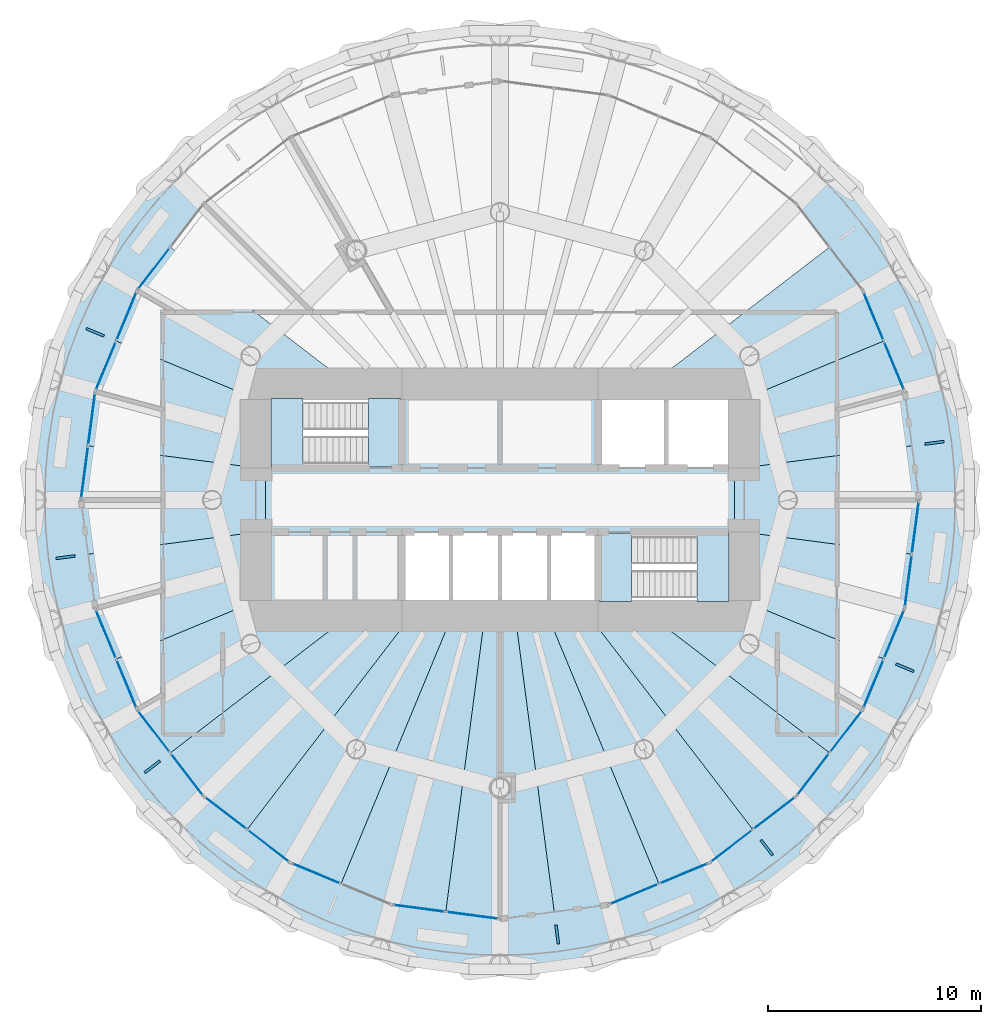
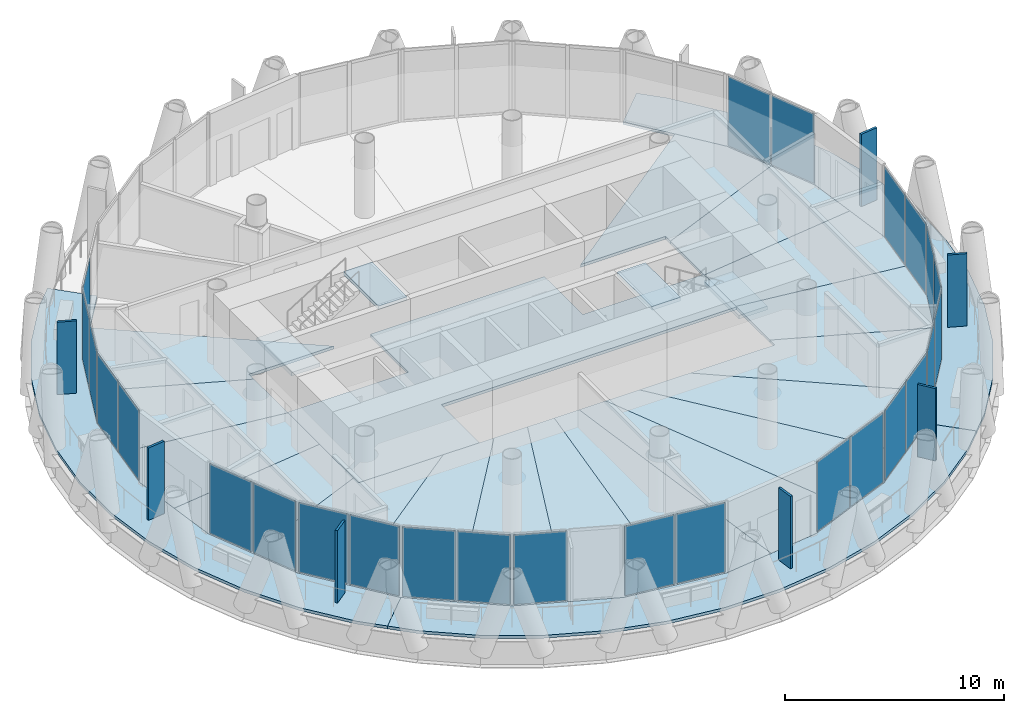
# One storey, part 7 of 15: 33 plates, 25 slabs, 16 elements without a shape of their own.
"""IFC4 building model written with IfcOpenShell, lengths in metres."""

from ifc_helpers import new_model, si_unit, direction, frame, origin, origin_2d, place, context, subcontext, project, spatial, polyline, rectangle, outline, extrude, material, layer, layer_set, type_object, element, aggregate, save


model = new_model("IFC4")

# Units and contexts
model_context = context("Model", 3, precision=1e-05, world=origin(), true_north=direction((0.0, 1.0)))
body_context = subcontext(model_context, "Body", "Model", "MODEL_VIEW")
ifc_project = project(units=[si_unit("LENGTHUNIT", "METRE"), si_unit("AREAUNIT", "SQUARE_METRE"), si_unit("VOLUMEUNIT", "CUBIC_METRE"), si_unit("PLANEANGLEUNIT", "RADIAN"), si_unit("MASSUNIT", "GRAM", prefix="KILO")], contexts=[model_context])

# Site, building, storey
site_placement = place(None, origin())
site = spatial("IfcSite", under=ifc_project, at=site_placement, CompositionType="ELEMENT")
building_placement = place(site_placement, origin())
building = spatial("IfcBuilding", under=site, at=building_placement, Name="Qaws Media Tower", CompositionType="ELEMENT")
storey_placement = place(building_placement, frame((0.0, 0.0, 257.0)))
storey = spatial("IfcBuildingStorey", under=building, at=storey_placement, Name="L59", CompositionType="ELEMENT", Elevation=257.0)

# Slabs
ifc_material_1 = material(Name="Concrete C35/45", Category="concrete")
ifc_layer_1 = layer(ifc_material_1, 0.159912109375)
ifc_layer_set_1 = layer_set([ifc_layer_1], Name="Composite balcony slab 160")
slab_type_1 = type_object("IfcSlabType", Name="Composite balcony slab 160", PredefinedType="FLOOR", material=ifc_layer_set_1)
slab_1_placement = place(storey_placement, frame((0.0, 0.0, -0.159912109375)))
element("IfcSlab", 1, at=slab_1_placement, inside=storey, type_object=slab_type_1, Name="S2 balcony slab L59 R10 to R16, movement joints on R10 and R16", PredefinedType="FLOOR", context=body_context, shape_type="SweptSolid", body=[
    extrude(outline(polyline([(43.421875, 35.46142578125), (41.666015625, 37.749755859375), (40.22412109375, 40.24755859375), (39.1201171875, 42.912353515625), (38.373779296875, 45.6982421875), (37.997314453125, 48.557861328125), (37.997314453125, 51.442138671875), (38.373779296875, 54.3017578125), (39.1201171875, 57.087646484375), (40.22412109375, 59.75244140625), (41.666015625, 62.250244140625), (43.421875, 64.53857421875), (44.441650390625, 65.558349609375), (46.10546875, 63.89453125), (42.982666015625, 59.824951171875), (41.01953125, 55.085693359375), (40.35009765625, 50.0), (41.01953125, 44.914306640625), (42.982666015625, 40.175048828125), (46.10546875, 36.10546875), (44.441650390625, 34.441650390625), (43.421875, 35.46142578125)])), origin(), (0.0, 0.0, 1.0), 0.159912109375),
])
slab_2_placement = place(storey_placement, frame((0.0, 0.0, -0.159912109375)))
element("IfcSlab", 2, at=slab_2_placement, inside=storey, type_object=slab_type_1, Name="S2 balcony slab L59 R16 to R22, movement joints on R16 and R22", PredefinedType="FLOOR", context=body_context, shape_type="SweptSolid", body=[
    extrude(outline(polyline([(74.53857421875, 33.421875), (72.250244140625, 31.666015625), (69.75244140625, 30.22412109375), (67.087646484375, 29.1201171875), (64.3017578125, 28.373779296875), (61.442138671875, 27.997314453125), (58.557861328125, 27.997314453125), (55.6982421875, 28.373779296875), (52.912353515625, 29.1201171875), (50.24755859375, 30.22412109375), (47.749755859375, 31.666015625), (45.46142578125, 33.421875), (44.441650390625, 34.441650390625), (46.10546875, 36.10546875), (50.175048828125, 32.982666015625), (54.914306640625, 31.01953125), (60.0, 30.35009765625), (65.085693359375, 31.01953125), (69.824951171875, 32.982666015625), (73.89453125, 36.10546875), (75.558349609375, 34.441650390625), (74.53857421875, 33.421875)])), origin(), (0.0, 0.0, 1.0), 0.159912109375),
])
slab_3_placement = place(storey_placement, frame((0.0, 0.0, -0.159912109375)))
element("IfcSlab", 3, at=slab_3_placement, inside=storey, type_object=slab_type_1, Name="S2 balcony slab L59 R22 to R04, movement joints on R22 and R04", PredefinedType="FLOOR", context=body_context, shape_type="SweptSolid", body=[
    extrude(outline(polyline([(81.626220703125, 45.6982421875), (80.8798828125, 42.912353515625), (79.77587890625, 40.24755859375), (78.333984375, 37.749755859375), (76.578125, 35.46142578125), (75.558349609375, 34.441650390625), (73.89453125, 36.10546875), (77.017333984375, 40.175048828125), (78.98046875, 44.914306640625), (79.64990234375, 50.0), (78.98046875, 55.085693359375), (77.017333984375, 59.824951171875), (73.89453125, 63.89453125), (75.558349609375, 65.558349609375), (76.578125, 64.53857421875), (78.333984375, 62.250244140625), (79.77587890625, 59.75244140625), (80.8798828125, 57.087646484375), (81.626220703125, 54.3017578125), (82.002685546875, 51.442138671875), (82.002685546875, 48.557861328125), (81.626220703125, 45.6982421875)])), origin(), (0.0, 0.0, 1.0), 0.159912109375),
])
ifc_material_2 = material(Name="Concrete C35/45", Category="concrete")
ifc_layer_2 = layer(ifc_material_2, 0.159912109375)
ifc_layer_set_2 = layer_set([ifc_layer_2], Name="Composite floor slab 160")
slab_type_2 = type_object("IfcSlabType", Name="Composite floor slab 160", PredefinedType="FLOOR", material=ifc_layer_set_2)
slab_4_placement = place(storey_placement, frame((0.0, 0.0, -0.159912109375)))
element("IfcSlab", 4, at=slab_4_placement, inside=storey, type_object=slab_type_2, Name="S1 core floor slab L59", PredefinedType="FLOOR", context=body_context, shape_type="SweptSolid", body=[
    extrude(outline(polyline([(71.0, 51.5), (71.0, 48.5), (55.39990234375, 48.5), (55.39990234375, 45.0), (49.0, 45.0), (49.0, 51.5), (55.39990234375, 51.5), (55.39990234375, 55.0), (64.60009765625, 55.0), (64.60009765625, 51.5), (71.0, 51.5)])), origin(), (0.0, 0.0, 1.0), 0.159912109375),
])
slab_5_placement = place(storey_placement, frame((0.0, 0.0, -0.159912109375)))
element("IfcSlab", 5, at=slab_5_placement, inside=storey, type_object=slab_type_2, Name="S1 floor panel L59 on R01", PredefinedType="FLOOR", context=body_context, shape_type="SweptSolid", body=[
    extrude(outline(polyline([(79.64990234375, 50.0), (79.315185546875, 47.45703125), (71.0, 48.5517578125), (71.0, 51.4482421875), (79.315185546875, 52.54296875), (79.64990234375, 50.0)])), origin(), (0.0, 0.0, 1.0), 0.159912109375),
])
slab_6_placement = place(storey_placement, frame((0.0, 0.0, -0.159912109375)))
element("IfcSlab", 6, at=slab_6_placement, inside=storey, type_object=slab_type_2, Name="S1 floor panel L59 on R02", PredefinedType="FLOOR", context=body_context, shape_type="SweptSolid", body=[
    extrude(outline(polyline([(78.98046875, 55.085693359375), (79.315185546875, 52.54296875), (71.0, 51.4482421875), (71.0, 54.556396484375), (77.998779296875, 57.455322265625), (78.98046875, 55.085693359375)])), origin(), (0.0, 0.0, 1.0), 0.159912109375),
])
slab_7_placement = place(storey_placement, frame((0.0, 0.0, -0.159912109375)))
element("IfcSlab", 7, at=slab_7_placement, inside=storey, type_object=slab_type_2, Name="S1 floor panel L59 on R03", PredefinedType="FLOOR", context=body_context, shape_type="SweptSolid", body=[
    extrude(outline(polyline([(77.017333984375, 59.824951171875), (77.998779296875, 57.455322265625), (71.0, 54.556396484375), (71.0, 55.0), (66.51611328125, 55.0), (75.4560546875, 61.85986328125), (77.017333984375, 59.824951171875)])), origin(), (0.0, 0.0, 1.0), 0.159912109375),
])
slab_8_placement = place(storey_placement, frame((0.0, 0.0, -0.159912109375)))
element("IfcSlab", 8, at=slab_8_placement, inside=storey, type_object=slab_type_2, Name="S1 floor panel L59 on R11", PredefinedType="FLOOR", context=body_context, shape_type="SweptSolid", body=[
    extrude(outline(polyline([(42.982666015625, 59.824951171875), (44.5439453125, 61.85986328125), (53.48388671875, 55.0), (49.0, 55.0), (49.0, 54.556396484375), (42.001220703125, 57.455322265625), (42.982666015625, 59.824951171875)])), origin(), (0.0, 0.0, 1.0), 0.159912109375),
])
slab_9_placement = place(storey_placement, frame((0.0, 0.0, -0.159912109375)))
element("IfcSlab", 9, at=slab_9_placement, inside=storey, type_object=slab_type_2, Name="S1 floor panel L59 on R12", PredefinedType="FLOOR", context=body_context, shape_type="SweptSolid", body=[
    extrude(outline(polyline([(41.01953125, 55.085693359375), (42.001220703125, 57.455322265625), (49.0, 54.556396484375), (49.0, 51.4482421875), (40.684814453125, 52.54296875), (41.01953125, 55.085693359375)])), origin(), (0.0, 0.0, 1.0), 0.159912109375),
])
slab_10_placement = place(storey_placement, frame((0.0, 0.0, -0.159912109375)))
element("IfcSlab", 10, at=slab_10_placement, inside=storey, type_object=slab_type_2, Name="S1 floor panel L59 on R13", PredefinedType="FLOOR", context=body_context, shape_type="SweptSolid", body=[
    extrude(outline(polyline([(40.35009765625, 50.0), (40.684814453125, 52.54296875), (49.0, 51.4482421875), (49.0, 48.5517578125), (40.684814453125, 47.45703125), (40.35009765625, 50.0)])), origin(), (0.0, 0.0, 1.0), 0.159912109375),
])
slab_11_placement = place(storey_placement, frame((0.0, 0.0, -0.159912109375)))
element("IfcSlab", 11, at=slab_11_placement, inside=storey, type_object=slab_type_2, Name="S1 floor panel L59 on R14", PredefinedType="FLOOR", context=body_context, shape_type="SweptSolid", body=[
    extrude(outline(polyline([(41.01953125, 44.914306640625), (40.684814453125, 47.45703125), (49.0, 48.5517578125), (49.0, 45.443603515625), (42.001220703125, 42.544677734375), (41.01953125, 44.914306640625)])), origin(), (0.0, 0.0, 1.0), 0.159912109375),
])
slab_12_placement = place(storey_placement, frame((0.0, 0.0, -0.159912109375)))
element("IfcSlab", 12, at=slab_12_placement, inside=storey, type_object=slab_type_2, Name="S1 floor panel L59 on R15", PredefinedType="FLOOR", context=body_context, shape_type="SweptSolid", body=[
    extrude(outline(polyline([(42.982666015625, 40.175048828125), (42.001220703125, 42.544677734375), (49.0, 45.443603515625), (49.0, 45.0), (53.48388671875, 45.0), (44.5439453125, 38.14013671875), (42.982666015625, 40.175048828125)])), origin(), (0.0, 0.0, 1.0), 0.159912109375),
])
slab_13_placement = place(storey_placement, frame((0.0, 0.0, -0.159912109375)))
element("IfcSlab", 13, at=slab_13_placement, inside=storey, type_object=slab_type_2, Name="S1 floor panel L59 on R16", PredefinedType="FLOOR", context=body_context, shape_type="SweptSolid", body=[
    extrude(outline(polyline([(46.10546875, 36.10546875), (44.5439453125, 38.14013671875), (53.48388671875, 45.0), (56.163330078125, 45.0), (48.14013671875, 34.5439453125), (46.10546875, 36.10546875)])), origin(), (0.0, 0.0, 1.0), 0.159912109375),
])
slab_14_placement = place(storey_placement, frame((0.0, 0.0, -0.159912109375)))
element("IfcSlab", 14, at=slab_14_placement, inside=storey, type_object=slab_type_2, Name="S1 floor panel L59 on R17", PredefinedType="FLOOR", context=body_context, shape_type="SweptSolid", body=[
    extrude(outline(polyline([(50.175048828125, 32.982666015625), (48.14013671875, 34.5439453125), (56.163330078125, 45.0), (57.928955078125, 45.0), (52.544677734375, 32.001220703125), (50.175048828125, 32.982666015625)])), origin(), (0.0, 0.0, 1.0), 0.159912109375),
])
slab_15_placement = place(storey_placement, frame((0.0, 0.0, -0.159912109375)))
element("IfcSlab", 15, at=slab_15_placement, inside=storey, type_object=slab_type_2, Name="S1 floor panel L59 on R18", PredefinedType="FLOOR", context=body_context, shape_type="SweptSolid", body=[
    extrude(outline(polyline([(54.914306640625, 31.01953125), (52.544677734375, 32.001220703125), (57.928955078125, 45.0), (59.341796875, 45.0), (57.45703125, 30.684814453125), (54.914306640625, 31.01953125)])), origin(), (0.0, 0.0, 1.0), 0.159912109375),
])
slab_16_placement = place(storey_placement, frame((0.0, 0.0, -0.159912109375)))
element("IfcSlab", 16, at=slab_16_placement, inside=storey, type_object=slab_type_2, Name="S1 floor panel L59 on R19", PredefinedType="FLOOR", context=body_context, shape_type="SweptSolid", body=[
    extrude(outline(polyline([(60.0, 30.35009765625), (57.45703125, 30.684814453125), (59.341796875, 45.0), (60.658203125, 45.0), (62.54296875, 30.684814453125), (60.0, 30.35009765625)])), origin(), (0.0, 0.0, 1.0), 0.159912109375),
])
slab_17_placement = place(storey_placement, frame((0.0, 0.0, -0.159912109375)))
element("IfcSlab", 17, at=slab_17_placement, inside=storey, type_object=slab_type_2, Name="S1 floor panel L59 on R20", PredefinedType="FLOOR", context=body_context, shape_type="SweptSolid", body=[
    extrude(outline(polyline([(65.085693359375, 31.01953125), (62.54296875, 30.684814453125), (60.658203125, 45.0), (62.071044921875, 45.0), (67.455322265625, 32.001220703125), (65.085693359375, 31.01953125)])), origin(), (0.0, 0.0, 1.0), 0.159912109375),
])
slab_18_placement = place(storey_placement, frame((0.0, 0.0, -0.159912109375)))
element("IfcSlab", 18, at=slab_18_placement, inside=storey, type_object=slab_type_2, Name="S1 floor panel L59 on R21", PredefinedType="FLOOR", context=body_context, shape_type="SweptSolid", body=[
    extrude(outline(polyline([(69.824951171875, 32.982666015625), (67.455322265625, 32.001220703125), (62.071044921875, 45.0), (63.836669921875, 45.0), (71.85986328125, 34.5439453125), (69.824951171875, 32.982666015625)])), origin(), (0.0, 0.0, 1.0), 0.159912109375),
])
slab_19_placement = place(storey_placement, frame((0.0, 0.0, -0.159912109375)))
element("IfcSlab", 19, at=slab_19_placement, inside=storey, type_object=slab_type_2, Name="S1 floor panel L59 on R22", PredefinedType="FLOOR", context=body_context, shape_type="SweptSolid", body=[
    extrude(outline(polyline([(73.89453125, 36.10546875), (71.85986328125, 34.5439453125), (63.836669921875, 45.0), (66.51611328125, 45.0), (75.4560546875, 38.14013671875), (73.89453125, 36.10546875)])), origin(), (0.0, 0.0, 1.0), 0.159912109375),
])
slab_20_placement = place(storey_placement, frame((0.0, 0.0, -0.159912109375)))
element("IfcSlab", 20, at=slab_20_placement, inside=storey, type_object=slab_type_2, Name="S1 floor panel L59 on R23", PredefinedType="FLOOR", context=body_context, shape_type="SweptSolid", body=[
    extrude(outline(polyline([(77.017333984375, 40.175048828125), (75.4560546875, 38.14013671875), (66.51611328125, 45.0), (71.0, 45.0), (71.0, 45.443603515625), (77.998779296875, 42.544677734375), (77.017333984375, 40.175048828125)])), origin(), (0.0, 0.0, 1.0), 0.159912109375),
])
slab_21_placement = place(storey_placement, frame((0.0, 0.0, -0.159912109375)))
element("IfcSlab", 21, at=slab_21_placement, inside=storey, type_object=slab_type_2, Name="S1 floor panel L59 on R24", PredefinedType="FLOOR", context=body_context, shape_type="SweptSolid", body=[
    extrude(outline(polyline([(77.998779296875, 42.544677734375), (71.0, 45.443603515625), (71.0, 48.5517578125), (79.315185546875, 47.45703125), (78.98046875, 44.914306640625), (77.998779296875, 42.544677734375)])), origin(), (0.0, 0.0, 1.0), 0.159912109375),
])

# Curtain wall, plates
ifc_material_3 = material(Name="Aluminium and clear glass", Category="aluminium")
curtain_wall_type = type_object("IfcCurtainWallType", Name="Unitised curtain wall CW-C", PredefinedType="NOTDEFINED", material=ifc_material_3)
curtain_wall_1_placement = place(storey_placement, origin())
curtain_wall_1 = element("IfcCurtainWall", 22, at=curtain_wall_1_placement, inside=storey, type_object=curtain_wall_type, Name="CWC curtain wall L59-02", PredefinedType="NOTDEFINED")
ifc_material_4 = material(Name="Clear laminated double glazing", Category="glass")
ifc_layer_3 = layer(ifc_material_4, 0.031982421875)
ifc_layer_set_3 = layer_set([ifc_layer_3], Name="Curtain wall glass unit 32")
plate_type_1 = type_object("IfcPlateType", Name="Curtain wall glass unit 32", PredefinedType="CURTAIN_PANEL", material=ifc_layer_set_3)
plate_1_placement = place(storey_placement, frame((78.48193359375, 56.2890625, 0.080078125), z_axis=(0.0, 0.0, 1.0), x_axis=(-0.382683365786, 0.923879560089, 0.0)))
plate_1 = element("IfcPlate", 23, at=plate_1_placement, type_object=plate_type_1, Name="CWC panel 1.1", PredefinedType="CURTAIN_PANEL", context=body_context, shape_type="SweptSolid", body=[
    extrude(rectangle(XDim=2.44482421875, YDim=0.031982421875, at=origin_2d()), origin(), (0.0, 0.0, 1.0), 3.8798828125),
])
plate_2_placement = place(storey_placement, frame((77.515869140625, 58.621826171875, 0.080078125), z_axis=(0.0, 0.0, 1.0), x_axis=(-0.382683365786, 0.923879560089, 0.0)))
plate_2 = element("IfcPlate", 24, at=plate_2_placement, type_object=plate_type_1, Name="CWC panel 2.1", PredefinedType="CURTAIN_PANEL", context=body_context, shape_type="SweptSolid", body=[
    extrude(rectangle(XDim=2.44482421875, YDim=0.031982421875, at=origin_2d()), origin(), (0.0, 0.0, 1.0), 3.8798828125),
])
aggregate(curtain_wall_1, [plate_1, plate_2])

# Curtain wall, plate
curtain_wall_2_placement = place(storey_placement, origin())
curtain_wall_2 = element("IfcCurtainWall", 25, at=curtain_wall_2_placement, inside=storey, type_object=curtain_wall_type, Name="CWC curtain wall L59-10", PredefinedType="NOTDEFINED")
plate_3_placement = place(storey_placement, frame((43.775390625, 60.8583984375, 0.080078125), z_axis=(0.0, 0.0, 1.0), x_axis=(-0.608761460662, -0.793353316003, 0.0)))
plate_3 = element("IfcPlate", 26, at=plate_3_placement, type_object=plate_type_1, Name="CWC panel 2.1", PredefinedType="CURTAIN_PANEL", context=body_context, shape_type="SweptSolid", body=[
    extrude(rectangle(XDim=2.44482421875, YDim=0.031982421875, at=origin_2d()), origin(), (0.0, 0.0, 1.0), 3.8798828125),
])
aggregate(curtain_wall_2, [plate_3])

# Curtain wall, plates
curtain_wall_3_placement = place(storey_placement, origin())
curtain_wall_3 = element("IfcCurtainWall", 27, at=curtain_wall_3_placement, inside=storey, type_object=curtain_wall_type, Name="CWC curtain wall L59-11", PredefinedType="NOTDEFINED")
plate_4_placement = place(storey_placement, frame((42.484130859375, 58.621826171875, 0.080078125), z_axis=(0.0, 0.0, 1.0), x_axis=(-0.382683365786, -0.923879560089, 0.0)))
plate_4 = element("IfcPlate", 28, at=plate_4_placement, type_object=plate_type_1, Name="CWC panel 1.1", PredefinedType="CURTAIN_PANEL", context=body_context, shape_type="SweptSolid", body=[
    extrude(rectangle(XDim=2.44482421875, YDim=0.031982421875, at=origin_2d()), origin(), (0.0, 0.0, 1.0), 3.8798828125),
])
plate_5_placement = place(storey_placement, frame((41.51806640625, 56.2890625, 0.080078125), z_axis=(0.0, 0.0, 1.0), x_axis=(-0.382683365786, -0.923879560089, 0.0)))
plate_5 = element("IfcPlate", 29, at=plate_5_placement, type_object=plate_type_1, Name="CWC panel 2.1", PredefinedType="CURTAIN_PANEL", context=body_context, shape_type="SweptSolid", body=[
    extrude(rectangle(XDim=2.44482421875, YDim=0.031982421875, at=origin_2d()), origin(), (0.0, 0.0, 1.0), 3.8798828125),
])
aggregate(curtain_wall_3, [plate_4, plate_5])

curtain_wall_4_placement = place(storey_placement, origin())
curtain_wall_4 = element("IfcCurtainWall", 30, at=curtain_wall_4_placement, inside=storey, type_object=curtain_wall_type, Name="CWC curtain wall L59-12", PredefinedType="NOTDEFINED")
plate_6_placement = place(storey_placement, frame((40.849609375, 53.79443359375, 0.080078125), z_axis=(0.0, 0.0, 1.0), x_axis=(-0.130526291424, -0.991444848313, 0.0)))
plate_6 = element("IfcPlate", 31, at=plate_6_placement, type_object=plate_type_1, Name="CWC panel 1.1", PredefinedType="CURTAIN_PANEL", context=body_context, shape_type="SweptSolid", body=[
    extrude(rectangle(XDim=2.44482421875, YDim=0.031982421875, at=origin_2d()), origin(), (0.0, 0.0, 1.0), 3.8798828125),
])
plate_7_placement = place(storey_placement, frame((40.52001953125, 51.291259765625, 0.080078125), z_axis=(0.0, 0.0, 1.0), x_axis=(-0.130526291424, -0.991444848313, 0.0)))
plate_7 = element("IfcPlate", 32, at=plate_7_placement, type_object=plate_type_1, Name="CWC panel 2.1", PredefinedType="CURTAIN_PANEL", context=body_context, shape_type="SweptSolid", body=[
    extrude(rectangle(XDim=2.44482421875, YDim=0.031982421875, at=origin_2d()), origin(), (0.0, 0.0, 1.0), 3.8798828125),
])
aggregate(curtain_wall_4, [plate_6, plate_7])

curtain_wall_5_placement = place(storey_placement, origin())
curtain_wall_5 = element("IfcCurtainWall", 33, at=curtain_wall_5_placement, inside=storey, type_object=curtain_wall_type, Name="CWC curtain wall L59-14", PredefinedType="NOTDEFINED")
plate_8_placement = place(storey_placement, frame((41.51806640625, 43.7109375, 0.080078125), z_axis=(0.0, 0.0, 1.0), x_axis=(0.382683365786, -0.923879560089, 0.0)))
plate_8 = element("IfcPlate", 34, at=plate_8_placement, type_object=plate_type_1, Name="CWC panel 1.1", PredefinedType="CURTAIN_PANEL", context=body_context, shape_type="SweptSolid", body=[
    extrude(rectangle(XDim=2.44482421875, YDim=0.031982421875, at=origin_2d()), origin(), (0.0, 0.0, 1.0), 3.8798828125),
])
plate_9_placement = place(storey_placement, frame((42.484130859375, 41.378173828125, 0.080078125), z_axis=(0.0, 0.0, 1.0), x_axis=(0.382683365786, -0.923879560089, 0.0)))
plate_9 = element("IfcPlate", 35, at=plate_9_placement, type_object=plate_type_1, Name="CWC panel 2.1", PredefinedType="CURTAIN_PANEL", context=body_context, shape_type="SweptSolid", body=[
    extrude(rectangle(XDim=2.44482421875, YDim=0.031982421875, at=origin_2d()), origin(), (0.0, 0.0, 1.0), 3.8798828125),
])
aggregate(curtain_wall_5, [plate_8, plate_9])

curtain_wall_6_placement = place(storey_placement, origin())
curtain_wall_6 = element("IfcCurtainWall", 36, at=curtain_wall_6_placement, inside=storey, type_object=curtain_wall_type, Name="CWC curtain wall L59-15", PredefinedType="NOTDEFINED")
plate_10_placement = place(storey_placement, frame((43.775390625, 39.1416015625, 0.080078125), z_axis=(0.0, 0.0, 1.0), x_axis=(0.608761460662, -0.793353316003, 0.0)))
plate_10 = element("IfcPlate", 37, at=plate_10_placement, type_object=plate_type_1, Name="CWC panel 1.1", PredefinedType="CURTAIN_PANEL", context=body_context, shape_type="SweptSolid", body=[
    extrude(rectangle(XDim=2.44482421875, YDim=0.031982421875, at=origin_2d()), origin(), (0.0, 0.0, 1.0), 3.8798828125),
])
plate_11_placement = place(storey_placement, frame((45.3125, 37.138671875, 0.080078125), z_axis=(0.0, 0.0, 1.0), x_axis=(0.608761460662, -0.793353316003, 0.0)))
plate_11 = element("IfcPlate", 38, at=plate_11_placement, type_object=plate_type_1, Name="CWC panel 2.1", PredefinedType="CURTAIN_PANEL", context=body_context, shape_type="SweptSolid", body=[
    extrude(rectangle(XDim=2.44482421875, YDim=0.031982421875, at=origin_2d()), origin(), (0.0, 0.0, 1.0), 3.8798828125),
])
aggregate(curtain_wall_6, [plate_10, plate_11])

curtain_wall_7_placement = place(storey_placement, origin())
curtain_wall_7 = element("IfcCurtainWall", 39, at=curtain_wall_7_placement, inside=storey, type_object=curtain_wall_type, Name="CWC curtain wall L59-16", PredefinedType="NOTDEFINED")
plate_12_placement = place(storey_placement, frame((47.138671875, 35.3125, 0.080078125), z_axis=(0.0, 0.0, 1.0), x_axis=(0.793353316003, -0.608761460662, 0.0)))
plate_12 = element("IfcPlate", 40, at=plate_12_placement, type_object=plate_type_1, Name="CWC panel 1.1", PredefinedType="CURTAIN_PANEL", context=body_context, shape_type="SweptSolid", body=[
    extrude(rectangle(XDim=2.44482421875, YDim=0.031982421875, at=origin_2d()), origin(), (0.0, 0.0, 1.0), 3.8798828125),
])
plate_13_placement = place(storey_placement, frame((49.1416015625, 33.775390625, 0.080078125), z_axis=(0.0, 0.0, 1.0), x_axis=(0.793353316003, -0.608761460662, 0.0)))
plate_13 = element("IfcPlate", 41, at=plate_13_placement, type_object=plate_type_1, Name="CWC panel 2.1", PredefinedType="CURTAIN_PANEL", context=body_context, shape_type="SweptSolid", body=[
    extrude(rectangle(XDim=2.44482421875, YDim=0.031982421875, at=origin_2d()), origin(), (0.0, 0.0, 1.0), 3.8798828125),
])
aggregate(curtain_wall_7, [plate_12, plate_13])

# Curtain wall, plate
curtain_wall_8_placement = place(storey_placement, origin())
curtain_wall_8 = element("IfcCurtainWall", 42, at=curtain_wall_8_placement, inside=storey, type_object=curtain_wall_type, Name="CWC curtain wall L59-17", PredefinedType="NOTDEFINED")
plate_14_placement = place(storey_placement, frame((51.378173828125, 32.484130859375, 0.080078125), z_axis=(0.0, 0.0, 1.0), x_axis=(0.923879560089, -0.382683365786, 0.0)))
plate_14 = element("IfcPlate", 43, at=plate_14_placement, type_object=plate_type_1, Name="CWC panel 1.1", PredefinedType="CURTAIN_PANEL", context=body_context, shape_type="SweptSolid", body=[
    extrude(rectangle(XDim=2.44482421875, YDim=0.031982421875, at=origin_2d()), origin(), (0.0, 0.0, 1.0), 3.8798828125),
])
aggregate(curtain_wall_8, [plate_14])

# Curtain wall, plates
curtain_wall_9_placement = place(storey_placement, origin())
curtain_wall_9 = element("IfcCurtainWall", 44, at=curtain_wall_9_placement, inside=storey, type_object=curtain_wall_type, Name="CWC curtain wall L59-18", PredefinedType="NOTDEFINED")
plate_15_placement = place(storey_placement, frame((56.20556640625, 30.849609375, 0.080078125), z_axis=(0.0, 0.0, 1.0), x_axis=(0.991444848313, -0.130526291424, 0.0)))
plate_15 = element("IfcPlate", 45, at=plate_15_placement, type_object=plate_type_1, Name="CWC panel 1.1", PredefinedType="CURTAIN_PANEL", context=body_context, shape_type="SweptSolid", body=[
    extrude(rectangle(XDim=2.44482421875, YDim=0.031982421875, at=origin_2d()), origin(), (0.0, 0.0, 1.0), 3.8798828125),
])
plate_16_placement = place(storey_placement, frame((58.708740234375, 30.52001953125, 0.080078125), z_axis=(0.0, 0.0, 1.0), x_axis=(0.991444848313, -0.130526291424, 0.0)))
plate_16 = element("IfcPlate", 46, at=plate_16_placement, type_object=plate_type_1, Name="CWC panel 2.1", PredefinedType="CURTAIN_PANEL", context=body_context, shape_type="SweptSolid", body=[
    extrude(rectangle(XDim=2.44482421875, YDim=0.031982421875, at=origin_2d()), origin(), (0.0, 0.0, 1.0), 3.8798828125),
])
aggregate(curtain_wall_9, [plate_15, plate_16])

curtain_wall_10_placement = place(storey_placement, origin())
curtain_wall_10 = element("IfcCurtainWall", 47, at=curtain_wall_10_placement, inside=storey, type_object=curtain_wall_type, Name="CWC curtain wall L59-20", PredefinedType="NOTDEFINED")
plate_17_placement = place(storey_placement, frame((66.2890625, 31.51806640625, 0.080078125), z_axis=(0.0, 0.0, 1.0), x_axis=(0.923879560089, 0.382683365786, 0.0)))
plate_17 = element("IfcPlate", 48, at=plate_17_placement, type_object=plate_type_1, Name="CWC panel 1.1", PredefinedType="CURTAIN_PANEL", context=body_context, shape_type="SweptSolid", body=[
    extrude(rectangle(XDim=2.44482421875, YDim=0.031982421875, at=origin_2d()), origin(), (0.0, 0.0, 1.0), 3.8798828125),
])
plate_18_placement = place(storey_placement, frame((68.621826171875, 32.484130859375, 0.080078125), z_axis=(0.0, 0.0, 1.0), x_axis=(0.923879560089, 0.382683365786, 0.0)))
plate_18 = element("IfcPlate", 49, at=plate_18_placement, type_object=plate_type_1, Name="CWC panel 2.1", PredefinedType="CURTAIN_PANEL", context=body_context, shape_type="SweptSolid", body=[
    extrude(rectangle(XDim=2.44482421875, YDim=0.031982421875, at=origin_2d()), origin(), (0.0, 0.0, 1.0), 3.8798828125),
])
aggregate(curtain_wall_10, [plate_17, plate_18])

curtain_wall_11_placement = place(storey_placement, origin())
curtain_wall_11 = element("IfcCurtainWall", 50, at=curtain_wall_11_placement, inside=storey, type_object=curtain_wall_type, Name="CWC curtain wall L59-21", PredefinedType="NOTDEFINED")
plate_19_placement = place(storey_placement, frame((70.8583984375, 33.775390625, 0.080078125), z_axis=(0.0, 0.0, 1.0), x_axis=(0.793353316003, 0.608761460662, 0.0)))
plate_19 = element("IfcPlate", 51, at=plate_19_placement, type_object=plate_type_1, Name="CWC panel 1.1", PredefinedType="CURTAIN_PANEL", context=body_context, shape_type="SweptSolid", body=[
    extrude(rectangle(XDim=2.44482421875, YDim=0.031982421875, at=origin_2d()), origin(), (0.0, 0.0, 1.0), 3.8798828125),
])
plate_20_placement = place(storey_placement, frame((72.861328125, 35.3125, 0.080078125), z_axis=(0.0, 0.0, 1.0), x_axis=(0.793353316003, 0.608761460662, 0.0)))
plate_20 = element("IfcPlate", 52, at=plate_20_placement, type_object=plate_type_1, Name="CWC panel 2.1", PredefinedType="CURTAIN_PANEL", context=body_context, shape_type="SweptSolid", body=[
    extrude(rectangle(XDim=2.44482421875, YDim=0.031982421875, at=origin_2d()), origin(), (0.0, 0.0, 1.0), 3.8798828125),
])
aggregate(curtain_wall_11, [plate_19, plate_20])

curtain_wall_12_placement = place(storey_placement, origin())
curtain_wall_12 = element("IfcCurtainWall", 53, at=curtain_wall_12_placement, inside=storey, type_object=curtain_wall_type, Name="CWC curtain wall L59-22", PredefinedType="NOTDEFINED")
plate_21_placement = place(storey_placement, frame((74.6875, 37.138671875, 0.080078125), z_axis=(0.0, 0.0, 1.0), x_axis=(0.608761460662, 0.793353316003, 0.0)))
plate_21 = element("IfcPlate", 54, at=plate_21_placement, type_object=plate_type_1, Name="CWC panel 1.1", PredefinedType="CURTAIN_PANEL", context=body_context, shape_type="SweptSolid", body=[
    extrude(rectangle(XDim=2.44482421875, YDim=0.031982421875, at=origin_2d()), origin(), (0.0, 0.0, 1.0), 3.8798828125),
])
plate_22_placement = place(storey_placement, frame((76.224609375, 39.1416015625, 0.080078125), z_axis=(0.0, 0.0, 1.0), x_axis=(0.608761460662, 0.793353316003, 0.0)))
plate_22 = element("IfcPlate", 55, at=plate_22_placement, type_object=plate_type_1, Name="CWC panel 2.1", PredefinedType="CURTAIN_PANEL", context=body_context, shape_type="SweptSolid", body=[
    extrude(rectangle(XDim=2.44482421875, YDim=0.031982421875, at=origin_2d()), origin(), (0.0, 0.0, 1.0), 3.8798828125),
])
aggregate(curtain_wall_12, [plate_21, plate_22])

curtain_wall_13_placement = place(storey_placement, origin())
curtain_wall_13 = element("IfcCurtainWall", 56, at=curtain_wall_13_placement, inside=storey, type_object=curtain_wall_type, Name="CWC curtain wall L59-23", PredefinedType="NOTDEFINED")
plate_23_placement = place(storey_placement, frame((77.515869140625, 41.378173828125, 0.080078125), z_axis=(0.0, 0.0, 1.0), x_axis=(0.382683365786, 0.923879560089, 0.0)))
plate_23 = element("IfcPlate", 57, at=plate_23_placement, type_object=plate_type_1, Name="CWC panel 1.1", PredefinedType="CURTAIN_PANEL", context=body_context, shape_type="SweptSolid", body=[
    extrude(rectangle(XDim=2.44482421875, YDim=0.031982421875, at=origin_2d()), origin(), (0.0, 0.0, 1.0), 3.8798828125),
])
plate_24_placement = place(storey_placement, frame((78.48193359375, 43.7109375, 0.080078125), z_axis=(0.0, 0.0, 1.0), x_axis=(0.382683365786, 0.923879560089, 0.0)))
plate_24 = element("IfcPlate", 58, at=plate_24_placement, type_object=plate_type_1, Name="CWC panel 2.1", PredefinedType="CURTAIN_PANEL", context=body_context, shape_type="SweptSolid", body=[
    extrude(rectangle(XDim=2.44482421875, YDim=0.031982421875, at=origin_2d()), origin(), (0.0, 0.0, 1.0), 3.8798828125),
])
aggregate(curtain_wall_13, [plate_23, plate_24])

curtain_wall_14_placement = place(storey_placement, origin())
curtain_wall_14 = element("IfcCurtainWall", 59, at=curtain_wall_14_placement, inside=storey, type_object=curtain_wall_type, Name="CWC curtain wall L59-24", PredefinedType="NOTDEFINED")
plate_25_placement = place(storey_placement, frame((79.150390625, 46.20556640625, 0.080078125), z_axis=(0.0, 0.0, 1.0), x_axis=(0.130526291424, 0.991444848313, 0.0)))
plate_25 = element("IfcPlate", 60, at=plate_25_placement, type_object=plate_type_1, Name="CWC panel 1.1", PredefinedType="CURTAIN_PANEL", context=body_context, shape_type="SweptSolid", body=[
    extrude(rectangle(XDim=2.44482421875, YDim=0.031982421875, at=origin_2d()), origin(), (0.0, 0.0, 1.0), 3.8798828125),
])
plate_26_placement = place(storey_placement, frame((79.47998046875, 48.708740234375, 0.080078125), z_axis=(0.0, 0.0, 1.0), x_axis=(0.130526291424, 0.991444848313, 0.0)))
plate_26 = element("IfcPlate", 61, at=plate_26_placement, type_object=plate_type_1, Name="CWC panel 2.1", PredefinedType="CURTAIN_PANEL", context=body_context, shape_type="SweptSolid", body=[
    extrude(rectangle(XDim=2.44482421875, YDim=0.031982421875, at=origin_2d()), origin(), (0.0, 0.0, 1.0), 3.8798828125),
])
aggregate(curtain_wall_14, [plate_25, plate_26])

# Plates
ifc_material_5 = material(Name="Precast concrete screen fin", Category="concrete")
ifc_layer_4 = layer(ifc_material_5, 0.1201171875)
ifc_layer_set_4 = layer_set([ifc_layer_4], Name="Screen fin 120x900")
plate_type_2 = type_object("IfcPlateType", Name="Screen fin 120x900", PredefinedType="USERDEFINED", material=ifc_layer_set_4)
for number, where, z_axis, x_axis, name in (
    (62, (80.374267578125, 52.682373046875, 0.0), (0.0, 0.0, 1.0), (0.991444861374, 0.13052619222, 0.0), "SCR1 screen fin L59-01"),
    (63, (41.01416015625, 57.8642578125, 0.0), (0.0, 0.0, 1.0), (-0.923879532511, 0.382683432365, 0.0), "SCR1 screen fin L59-06"),
    (64, (39.625732421875, 47.317626953125, 0.0), (0.0, 0.0, 1.0), (-0.991444861374, -0.13052619222, 0.0), "SCR1 screen fin L59-07"),
    (65, (43.696533203125, 37.489990234375, 0.0), (0.0, 0.0, 1.0), (-0.793353340291, -0.608761429009, 0.0), "SCR1 screen fin L59-08"),
    (66, (62.682373046875, 29.625732421875, 0.0), (0.0, 0.0, 1.0), (0.13052619222, -0.991444861374, 0.0), "SCR1 screen fin L59-10"),
    (67, (72.510009765625, 33.696533203125, 0.0), (0.0, 0.0, 1.0), (0.608761429009, -0.793353340291, 0.0), "SCR1 screen fin L59-11"),
    (68, (78.98583984375, 42.1357421875, 0.0), (0.0, 0.0, 1.0), (0.923879532511, -0.382683432365, 0.0), "SCR1 screen fin L59-12"),
):
    element("IfcPlate", number, at=place(storey_placement, frame(where, z_axis=z_axis, x_axis=x_axis)), inside=storey, type_object=plate_type_2, Name=name, ObjectType="SCREEN", PredefinedType="USERDEFINED", context=body_context, shape_type="SweptSolid", body=[
        extrude(rectangle(XDim=0.89990234375, YDim=0.1201171875, at=origin_2d()), origin(), (0.0, 0.0, 1.0), 4.0400390625),
    ])

# Stair, slabs
ifc_material_6 = material(Name="Concrete C40/50", Category="concrete")
stair_type = type_object("IfcStairType", Name="Exit stair", PredefinedType="HALF_TURN_STAIR", material=ifc_material_6)
stair_1_placement = place(storey_placement, origin())
stair_1 = element("IfcStair", 69, at=stair_1_placement, inside=storey, type_object=stair_type, Name="S1 exit stair L59", PredefinedType="HALF_TURN_STAIR")
ifc_material_7 = material(Name="Concrete C40/50", Category="concrete")
ifc_layer_5 = layer(ifc_material_7, 0.199951171875)
ifc_layer_set_5 = layer_set([ifc_layer_5], Name="Stair landing 200")
slab_type_3 = type_object("IfcSlabType", Name="Stair landing 200", PredefinedType="LANDING", material=ifc_layer_set_5)
slab_22_placement = place(storey_placement, frame((0.0, 0.0, 1.89990234375)))
slab_22 = element("IfcSlab", 70, at=slab_22_placement, type_object=slab_type_3, Name="S1 landing 1", PredefinedType="LANDING", context=body_context, shape_type="SweptSolid", body=[
    extrude(outline(polyline([(49.25, 51.550048828125), (50.760009765625, 51.550048828125), (50.760009765625, 54.75), (49.25, 54.75), (49.25, 51.550048828125)])), origin(), (0.0, 0.0, 1.0), 0.2001953125),
])
slab_23_placement = place(storey_placement, frame((0.0, 0.0, 4.0)))
slab_23 = element("IfcSlab", 71, at=slab_23_placement, type_object=slab_type_3, Name="S1 landing 2", PredefinedType="LANDING", context=body_context, shape_type="SweptSolid", body=[
    extrude(outline(polyline([(53.840087890625, 51.550048828125), (55.35009765625, 51.550048828125), (55.35009765625, 54.75), (53.840087890625, 54.75), (53.840087890625, 51.550048828125)])), origin(), (0.0, 0.0, 1.0), 0.199951171875),
])
aggregate(stair_1, [slab_22, slab_23])

stair_2_placement = place(storey_placement, origin())
stair_2 = element("IfcStair", 72, at=stair_2_placement, inside=storey, type_object=stair_type, Name="S2 exit stair L59", PredefinedType="HALF_TURN_STAIR")
slab_24_placement = place(storey_placement, frame((0.0, 0.0, 1.89990234375)))
slab_24 = element("IfcSlab", 73, at=slab_24_placement, type_object=slab_type_3, Name="S2 landing 1", PredefinedType="LANDING", context=body_context, shape_type="SweptSolid", body=[
    extrude(outline(polyline([(69.239990234375, 45.25), (70.75, 45.25), (70.75, 48.449951171875), (69.239990234375, 48.449951171875), (69.239990234375, 45.25)])), origin(), (0.0, 0.0, 1.0), 0.2001953125),
])
slab_25_placement = place(storey_placement, frame((0.0, 0.0, 4.0)))
slab_25 = element("IfcSlab", 74, at=slab_25_placement, type_object=slab_type_3, Name="S2 landing 2", PredefinedType="LANDING", context=body_context, shape_type="SweptSolid", body=[
    extrude(outline(polyline([(64.64990234375, 45.25), (66.159912109375, 45.25), (66.159912109375, 48.449951171875), (64.64990234375, 48.449951171875), (64.64990234375, 45.25)])), origin(), (0.0, 0.0, 1.0), 0.199951171875),
])
aggregate(stair_2, [slab_24, slab_25])

save(model, "model.ifc")
